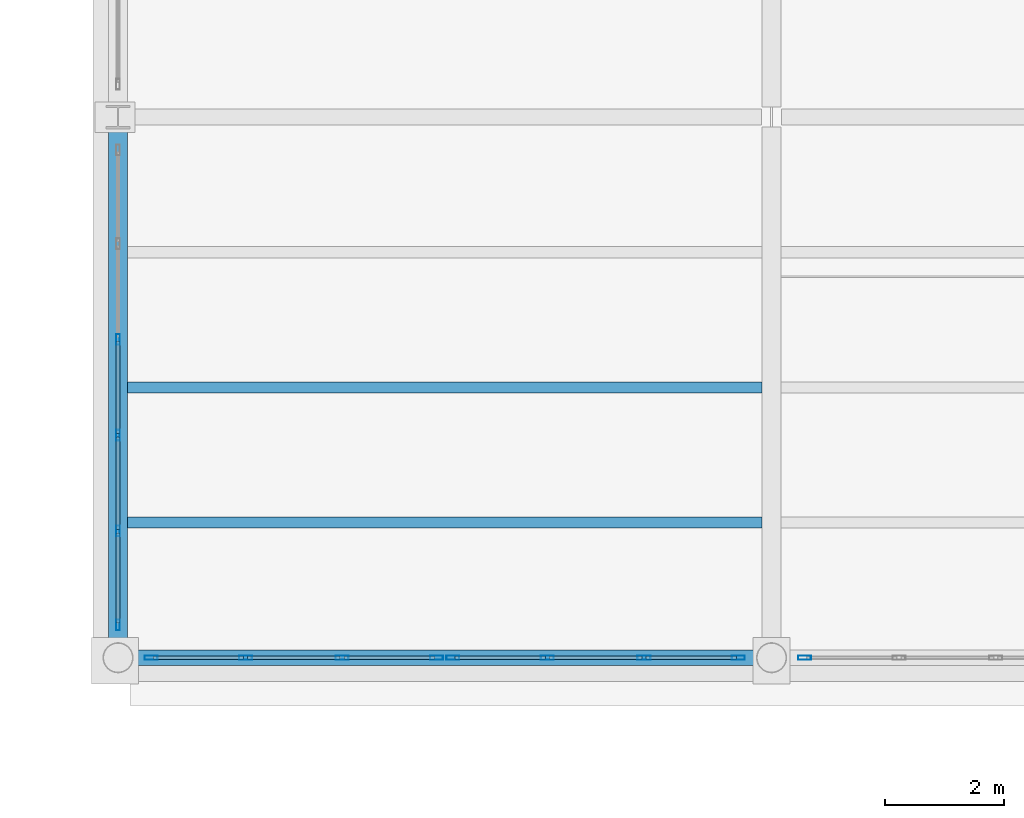
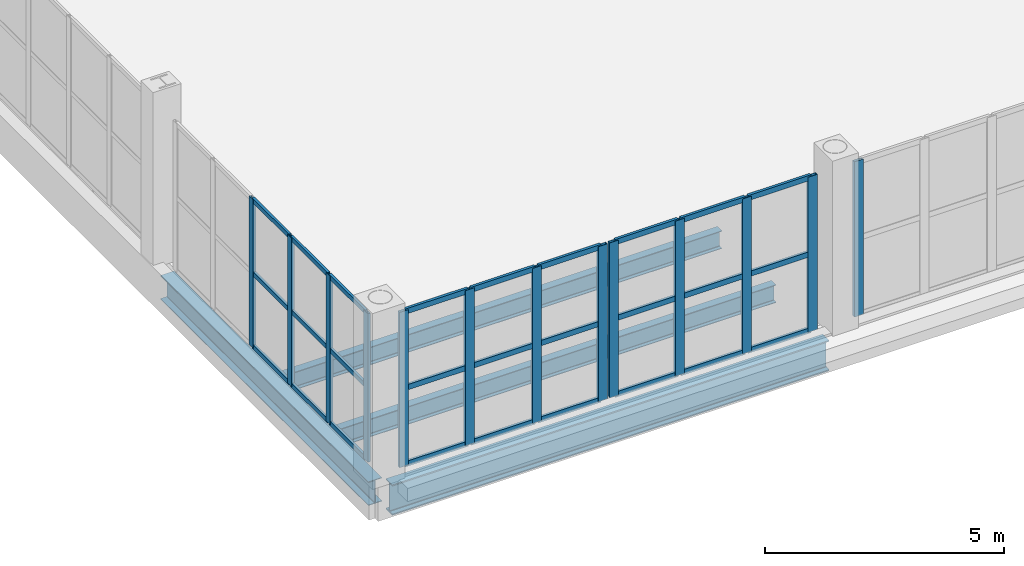
# One storey, part 17 of 156: 40 members, 4 beams, 4 elements without a shape of their own.
"""IFC4 building model written with IfcOpenShell, lengths in metres."""

from ifc_helpers import new_model, si_unit, direction, frame, origin, origin_2d, place, context, subcontext, project, spatial, hollow_rectangle, i_section, extrude, material, material_profile, profile_set, type_object, element, aggregate, save


model = new_model("IFC4")

# Units and contexts
model_context = context("Model", 3, precision=1e-05, world=origin(), true_north=direction((0.0, 1.0)))
body_context = subcontext(model_context, "Body", "Model", "MODEL_VIEW")
ifc_project = project(units=[si_unit("LENGTHUNIT", "METRE"), si_unit("AREAUNIT", "SQUARE_METRE"), si_unit("VOLUMEUNIT", "CUBIC_METRE"), si_unit("PLANEANGLEUNIT", "RADIAN"), si_unit("MASSUNIT", "GRAM", prefix="KILO")], contexts=[model_context])

# Site, building, storey
site_placement = place(None, origin())
site = spatial("IfcSite", under=ifc_project, at=site_placement, CompositionType="ELEMENT")
building_placement = place(site_placement, origin())
building = spatial("IfcBuilding", under=site, at=building_placement, Name="Caurita Quay Ferry Terminal", CompositionType="ELEMENT")
storey_placement = place(building_placement, frame((0.0, 0.0, 5.39990234375)))
storey = spatial("IfcBuildingStorey", under=building, at=storey_placement, Name="L01", CompositionType="ELEMENT", Elevation=5.39990234375)

# Beams
ifc_material_1 = material(Name="Structural steel ASTM A992 Gr. 50", Category="steel")
ifc_material_profile_1 = material_profile(ifc_material_1, i_section(OverallWidth=0.3251953125, OverallDepth=0.612060546875, WebThickness=0.0126953125, FlangeThickness=0.01904296875, FilletRadius=0.01513671875, at=origin_2d()), Name="W24X104")
ifc_profile_set_1 = profile_set([ifc_material_profile_1], Name="Structural steel ASTM A992 Gr. 50")
beam_type_1 = type_object("IfcBeamType", Name="BM-GR-W24A", PredefinedType="BEAM", material=ifc_profile_set_1)
beam_1_placement = place(storey_placement, frame((0.0, 34.81591796875, -0.60595703125), z_axis=(0.0, 1.0, 0.0), x_axis=(-1.0, 0.0, 0.0)))
element("IfcBeam", 1, at=beam_1_placement, inside=storey, type_object=beam_type_1, Name="L01 Beam BM-V1-L01-Y-0-348", PredefinedType="BEAM", context=body_context, shape_type="SweptSolid", body=[
    extrude(i_section(OverallWidth=0.3251953125, OverallDepth=0.612060546875, WebThickness=0.0126953125, FlangeThickness=0.01904296875, FilletRadius=0.01513671875, at=origin_2d()), origin(), (0.0, 0.0, 1.0), 8.70703125),
])
ifc_material_profile_2 = material_profile(ifc_material_1, i_section(OverallWidth=0.2666015625, OverallDepth=0.77978515625, WebThickness=0.0166015625, FlangeThickness=0.030029296875, FilletRadius=0.01904296875, at=origin_2d()), Name="W30X148")
ifc_profile_set_2 = profile_set([ifc_material_profile_2], Name="Structural steel ASTM A992 Gr. 50")
beam_type_2 = type_object("IfcBeamType", Name="BM-GR-W30A", PredefinedType="BEAM", material=ifc_profile_set_2)
beam_2_placement = place(storey_placement, frame((0.2158203125, 34.60009765625, -0.689697265625), z_axis=(1.0, 0.0, 0.0), x_axis=(0.0, 1.0, 0.0)))
element("IfcBeam", 2, at=beam_2_placement, inside=storey, type_object=beam_type_2, Name="L01 Beam BM-V1-L01-X-2-346", PredefinedType="BEAM", context=body_context, shape_type="SweptSolid", body=[
    extrude(i_section(OverallWidth=0.2666015625, OverallDepth=0.77978515625, WebThickness=0.0166015625, FlangeThickness=0.030029296875, FilletRadius=0.01904296875, at=origin_2d()), origin(), (0.0, 0.0, 1.0), 10.568359375),
])
ifc_material_profile_3 = material_profile(ifc_material_1, i_section(OverallWidth=0.1904296875, OverallDepth=0.457275390625, WebThickness=0.009033203125, FlangeThickness=0.014404296875, FilletRadius=0.0126953125, at=origin_2d()), Name="W18X50")
ifc_profile_set_3 = profile_set([ifc_material_profile_3], Name="Structural steel ASTM A992 Gr. 50")
beam_type_3 = type_object("IfcBeamType", Name="BM-JS-W18B", PredefinedType="JOIST", material=ifc_profile_set_3)
for number, where, z_axis, x_axis, name in (
    (3, (0.16259765625, 36.875, -0.528564453125), (1.0, 0.0, 0.0), (0.0, 1.0, 0.0), "L01 Beam JS-V1-L01-001"),
    (4, (0.16259765625, 39.14990234375, -0.528564453125), (1.0, 0.0, 0.0), (0.0, 1.0, 0.0), "L01 Beam JS-V1-L01-002"),
):
    element("IfcBeam", number, at=place(storey_placement, frame(where, z_axis=z_axis, x_axis=x_axis)), inside=storey, type_object=beam_type_3, Name=name, PredefinedType="JOIST", context=body_context, shape_type="SweptSolid", body=[
        extrude(i_section(OverallWidth=0.1904296875, OverallDepth=0.457275390625, WebThickness=0.009033203125, FlangeThickness=0.014404296875, FilletRadius=0.0126953125, at=origin_2d()), origin(), (0.0, 0.0, 1.0), 10.6748046875),
    ])

# Curtain wall, members
ifc_material_2 = material(Name="Laminated solar-control insulated glass", Category="glass")
curtain_wall_type_1 = type_object("IfcCurtainWallType", Name="CW-SYS-11", PredefinedType="NOTDEFINED", material=ifc_material_2)
curtain_wall_1_placement = place(storey_placement, origin())
curtain_wall_1 = element("IfcCurtainWall", 5, at=curtain_wall_1_placement, inside=storey, type_object=curtain_wall_type_1, Name="Concourse Gable Curtain Wall 077", PredefinedType="NOTDEFINED")
ifc_material_3 = material(Name="Anodized aluminium 6063-T6", Category="aluminium")
ifc_material_profile_4 = material_profile(ifc_material_3, hollow_rectangle(XDim=0.06494140625, YDim=0.179931640625, WallThickness=0.00390625, at=origin_2d()), Name="ALU-MUL-65X180")
ifc_profile_set_4 = profile_set([ifc_material_profile_4], Name="Anodized aluminium 6063-T6")
member_type_1 = type_object("IfcMemberType", Name="CW-MUL-180", PredefinedType="MULLION", material=ifc_profile_set_4)
member_1_placement = place(storey_placement, frame((0.0, 35.152587890625, 0.0), z_axis=(0.0, 0.0, 1.0), x_axis=(-1.0, 0.0, 0.0)))
member_1 = element("IfcMember", 6, at=member_1_placement, type_object=member_type_1, Name="CW-GBL-077 Mullion 1", PredefinedType="MULLION", context=body_context, shape_type="SweptSolid", body=[
    extrude(hollow_rectangle(XDim=0.06494140625, YDim=0.179931640625, WallThickness=0.00390625, at=origin_2d()), origin(), (0.0, 0.0, 1.0), 3.800048828125),
])
member_2_placement = place(storey_placement, frame((0.0, 36.73193359375, 0.0), z_axis=(0.0, 0.0, 1.0), x_axis=(-1.0, 0.0, 0.0)))
member_2 = element("IfcMember", 7, at=member_2_placement, type_object=member_type_1, Name="CW-GBL-077 Mullion 2", PredefinedType="MULLION", context=body_context, shape_type="SweptSolid", body=[
    extrude(hollow_rectangle(XDim=0.06494140625, YDim=0.179931640625, WallThickness=0.00390625, at=origin_2d()), origin(), (0.0, 0.0, 1.0), 3.800048828125),
])
member_3_placement = place(storey_placement, frame((0.0, 38.343994140625, 0.0), z_axis=(0.0, 0.0, 1.0), x_axis=(-1.0, 0.0, 0.0)))
member_3 = element("IfcMember", 8, at=member_3_placement, type_object=member_type_1, Name="CW-GBL-077 Mullion 3", PredefinedType="MULLION", context=body_context, shape_type="SweptSolid", body=[
    extrude(hollow_rectangle(XDim=0.06494140625, YDim=0.179931640625, WallThickness=0.00390625, at=origin_2d()), origin(), (0.0, 0.0, 1.0), 3.800048828125),
])
member_4_placement = place(storey_placement, frame((0.0, 39.9560546875, 0.0), z_axis=(0.0, 0.0, 1.0), x_axis=(-1.0, 0.0, 0.0)))
member_4 = element("IfcMember", 9, at=member_4_placement, type_object=member_type_1, Name="CW-GBL-077 Mullion 4", PredefinedType="MULLION", context=body_context, shape_type="SweptSolid", body=[
    extrude(hollow_rectangle(XDim=0.06494140625, YDim=0.179931640625, WallThickness=0.00390625, at=origin_2d()), origin(), (0.0, 0.0, 1.0), 3.800048828125),
])

curtain_wall_type_2 = type_object("IfcCurtainWallType", Name="CW-SYS-08", PredefinedType="NOTDEFINED", material=ifc_material_2)
curtain_wall_2_placement = place(storey_placement, origin())
curtain_wall_2 = element("IfcCurtainWall", 10, at=curtain_wall_2_placement, inside=storey, type_object=curtain_wall_type_2, Name="V1 Waterside Concourse Curtain Wall 049", PredefinedType="NOTDEFINED")
ifc_material_profile_5 = material_profile(ifc_material_3, hollow_rectangle(XDim=0.074951171875, YDim=0.219970703125, WallThickness=0.00390625, at=origin_2d()), Name="ALU-MUL-75X220")
ifc_profile_set_5 = profile_set([ifc_material_profile_5], Name="Anodized aluminium 6063-T6")
member_type_2 = type_object("IfcMemberType", Name="CW-MUL-220", PredefinedType="MULLION", material=ifc_profile_set_5)
member_5_placement = place(storey_placement, frame((0.5576171875, 34.60009765625, 0.0), z_axis=(0.0, 0.0, 1.0), x_axis=(0.0, 1.0, 0.0)))
member_5 = element("IfcMember", 11, at=member_5_placement, type_object=member_type_2, Name="CW-SEA-049 Mullion 1", PredefinedType="MULLION", context=body_context, shape_type="SweptSolid", body=[
    extrude(hollow_rectangle(XDim=0.074951171875, YDim=0.219970703125, WallThickness=0.00390625, at=origin_2d()), origin(), (0.0, 0.0, 1.0), 3.97021484375),
])
member_6_placement = place(storey_placement, frame((2.146728515625, 34.60009765625, 0.0), z_axis=(0.0, 0.0, 1.0), x_axis=(0.0, 1.0, 0.0)))
member_6 = element("IfcMember", 12, at=member_6_placement, type_object=member_type_2, Name="CW-SEA-049 Mullion 2", PredefinedType="MULLION", context=body_context, shape_type="SweptSolid", body=[
    extrude(hollow_rectangle(XDim=0.074951171875, YDim=0.219970703125, WallThickness=0.00390625, at=origin_2d()), origin(), (0.0, 0.0, 1.0), 3.97021484375),
])
member_7_placement = place(storey_placement, frame((3.773193359375, 34.60009765625, 0.0), z_axis=(0.0, 0.0, 1.0), x_axis=(0.0, 1.0, 0.0)))
member_7 = element("IfcMember", 13, at=member_7_placement, type_object=member_type_2, Name="CW-SEA-049 Mullion 3", PredefinedType="MULLION", context=body_context, shape_type="SweptSolid", body=[
    extrude(hollow_rectangle(XDim=0.074951171875, YDim=0.219970703125, WallThickness=0.00390625, at=origin_2d()), origin(), (0.0, 0.0, 1.0), 3.97021484375),
])
member_8_placement = place(storey_placement, frame((5.362548828125, 34.60009765625, 0.0), z_axis=(0.0, 0.0, 1.0), x_axis=(0.0, 1.0, 0.0)))
member_8 = element("IfcMember", 14, at=member_8_placement, type_object=member_type_2, Name="CW-SEA-049 Mullion 4", PredefinedType="MULLION", context=body_context, shape_type="SweptSolid", body=[
    extrude(hollow_rectangle(XDim=0.074951171875, YDim=0.219970703125, WallThickness=0.00390625, at=origin_2d()), origin(), (0.0, 0.0, 1.0), 3.97021484375),
])

curtain_wall_3_placement = place(storey_placement, origin())
curtain_wall_3 = element("IfcCurtainWall", 15, at=curtain_wall_3_placement, inside=storey, type_object=curtain_wall_type_2, Name="V1 Waterside Concourse Curtain Wall 050", PredefinedType="NOTDEFINED")
member_9_placement = place(storey_placement, frame((5.637451171875, 34.60009765625, 0.0), z_axis=(0.0, 0.0, 1.0), x_axis=(0.0, 1.0, 0.0)))
member_9 = element("IfcMember", 16, at=member_9_placement, type_object=member_type_2, Name="CW-SEA-050 Mullion 1", PredefinedType="MULLION", context=body_context, shape_type="SweptSolid", body=[
    extrude(hollow_rectangle(XDim=0.074951171875, YDim=0.219970703125, WallThickness=0.00390625, at=origin_2d()), origin(), (0.0, 0.0, 1.0), 3.97021484375),
])
member_10_placement = place(storey_placement, frame((7.226806640625, 34.60009765625, 0.0), z_axis=(0.0, 0.0, 1.0), x_axis=(0.0, 1.0, 0.0)))
member_10 = element("IfcMember", 17, at=member_10_placement, type_object=member_type_2, Name="CW-SEA-050 Mullion 2", PredefinedType="MULLION", context=body_context, shape_type="SweptSolid", body=[
    extrude(hollow_rectangle(XDim=0.074951171875, YDim=0.219970703125, WallThickness=0.00390625, at=origin_2d()), origin(), (0.0, 0.0, 1.0), 3.97021484375),
])
member_11_placement = place(storey_placement, frame((8.853271484375, 34.60009765625, 0.0), z_axis=(0.0, 0.0, 1.0), x_axis=(0.0, 1.0, 0.0)))
member_11 = element("IfcMember", 18, at=member_11_placement, type_object=member_type_2, Name="CW-SEA-050 Mullion 3", PredefinedType="MULLION", context=body_context, shape_type="SweptSolid", body=[
    extrude(hollow_rectangle(XDim=0.074951171875, YDim=0.219970703125, WallThickness=0.00390625, at=origin_2d()), origin(), (0.0, 0.0, 1.0), 3.97021484375),
])
member_12_placement = place(storey_placement, frame((10.4423828125, 34.60009765625, 0.0), z_axis=(0.0, 0.0, 1.0), x_axis=(0.0, 1.0, 0.0)))
member_12 = element("IfcMember", 19, at=member_12_placement, type_object=member_type_2, Name="CW-SEA-050 Mullion 4", PredefinedType="MULLION", context=body_context, shape_type="SweptSolid", body=[
    extrude(hollow_rectangle(XDim=0.074951171875, YDim=0.219970703125, WallThickness=0.00390625, at=origin_2d()), origin(), (0.0, 0.0, 1.0), 3.97021484375),
])

# Curtain wall, member
curtain_wall_4_placement = place(storey_placement, origin())
curtain_wall_4 = element("IfcCurtainWall", 20, at=curtain_wall_4_placement, inside=storey, type_object=curtain_wall_type_2, Name="V1 Waterside Concourse Curtain Wall 051", PredefinedType="NOTDEFINED")
member_13_placement = place(storey_placement, frame((11.5576171875, 34.60009765625, 0.0), z_axis=(0.0, 0.0, 1.0), x_axis=(0.0, 1.0, 0.0)))
member_13 = element("IfcMember", 21, at=member_13_placement, type_object=member_type_2, Name="CW-SEA-051 Mullion 1", PredefinedType="MULLION", context=body_context, shape_type="SweptSolid", body=[
    extrude(hollow_rectangle(XDim=0.074951171875, YDim=0.219970703125, WallThickness=0.00390625, at=origin_2d()), origin(), (0.0, 0.0, 1.0), 3.97021484375),
])
aggregate(curtain_wall_4, [member_13])

# Member
ifc_material_profile_6 = material_profile(ifc_material_3, hollow_rectangle(XDim=0.06005859375, YDim=0.114990234375, WallThickness=0.00341796875, at=origin_2d()), Name="ALU-TRN-60X115")
ifc_profile_set_6 = profile_set([ifc_material_profile_6], Name="Anodized aluminium 6063-T6")
member_type_3 = type_object("IfcMemberType", Name="CW-TRN-115", PredefinedType="USERDEFINED", material=ifc_profile_set_6)
member_14_placement = place(storey_placement, frame((0.0, 35.18310546875, 0.030029296875), z_axis=(0.0, 1.0, 0.0), x_axis=(-1.0, 0.0, 0.0)))
member_14 = element("IfcMember", 22, at=member_14_placement, type_object=member_type_3, Name="CW-GBL-077 Transom 1", ObjectType="TRANSOM", PredefinedType="USERDEFINED", context=body_context, shape_type="SweptSolid", body=[
    extrude(hollow_rectangle(XDim=0.06005859375, YDim=0.114990234375, WallThickness=0.00341796875, at=origin_2d()), origin(), (0.0, 0.0, 1.0), 1.518310546875),
])

member_15_placement = place(storey_placement, frame((0.0, 35.18310546875, 1.900146484375), z_axis=(0.0, 1.0, 0.0), x_axis=(-1.0, 0.0, 0.0)))
member_15 = element("IfcMember", 23, at=member_15_placement, type_object=member_type_3, Name="CW-GBL-077 Transom 2", ObjectType="TRANSOM", PredefinedType="USERDEFINED", context=body_context, shape_type="SweptSolid", body=[
    extrude(hollow_rectangle(XDim=0.06005859375, YDim=0.114990234375, WallThickness=0.00341796875, at=origin_2d()), origin(), (0.0, 0.0, 1.0), 1.518310546875),
])

member_16_placement = place(storey_placement, frame((0.0, 35.18310546875, 3.77001953125), z_axis=(0.0, 1.0, 0.0), x_axis=(-1.0, 0.0, 0.0)))
member_16 = element("IfcMember", 24, at=member_16_placement, type_object=member_type_3, Name="CW-GBL-077 Transom 3", ObjectType="TRANSOM", PredefinedType="USERDEFINED", context=body_context, shape_type="SweptSolid", body=[
    extrude(hollow_rectangle(XDim=0.06005859375, YDim=0.114990234375, WallThickness=0.00341796875, at=origin_2d()), origin(), (0.0, 0.0, 1.0), 1.518310546875),
])

member_17_placement = place(storey_placement, frame((0.0, 36.762451171875, 0.030029296875), z_axis=(0.0, 1.0, 0.0), x_axis=(-1.0, 0.0, 0.0)))
member_17 = element("IfcMember", 25, at=member_17_placement, type_object=member_type_3, Name="CW-GBL-077 Transom 4", ObjectType="TRANSOM", PredefinedType="USERDEFINED", context=body_context, shape_type="SweptSolid", body=[
    extrude(hollow_rectangle(XDim=0.06005859375, YDim=0.114990234375, WallThickness=0.00341796875, at=origin_2d()), origin(), (0.0, 0.0, 1.0), 1.551025390625),
])

member_18_placement = place(storey_placement, frame((0.0, 36.762451171875, 1.900146484375), z_axis=(0.0, 1.0, 0.0), x_axis=(-1.0, 0.0, 0.0)))
member_18 = element("IfcMember", 26, at=member_18_placement, type_object=member_type_3, Name="CW-GBL-077 Transom 5", ObjectType="TRANSOM", PredefinedType="USERDEFINED", context=body_context, shape_type="SweptSolid", body=[
    extrude(hollow_rectangle(XDim=0.06005859375, YDim=0.114990234375, WallThickness=0.00341796875, at=origin_2d()), origin(), (0.0, 0.0, 1.0), 1.551025390625),
])

member_19_placement = place(storey_placement, frame((0.0, 36.762451171875, 3.77001953125), z_axis=(0.0, 1.0, 0.0), x_axis=(-1.0, 0.0, 0.0)))
member_19 = element("IfcMember", 27, at=member_19_placement, type_object=member_type_3, Name="CW-GBL-077 Transom 6", ObjectType="TRANSOM", PredefinedType="USERDEFINED", context=body_context, shape_type="SweptSolid", body=[
    extrude(hollow_rectangle(XDim=0.06005859375, YDim=0.114990234375, WallThickness=0.00341796875, at=origin_2d()), origin(), (0.0, 0.0, 1.0), 1.551025390625),
])

member_20_placement = place(storey_placement, frame((0.0, 38.37451171875, 0.030029296875), z_axis=(0.0, 1.0, 0.0), x_axis=(-1.0, 0.0, 0.0)))
member_20 = element("IfcMember", 28, at=member_20_placement, type_object=member_type_3, Name="CW-GBL-077 Transom 7", ObjectType="TRANSOM", PredefinedType="USERDEFINED", context=body_context, shape_type="SweptSolid", body=[
    extrude(hollow_rectangle(XDim=0.06005859375, YDim=0.114990234375, WallThickness=0.00341796875, at=origin_2d()), origin(), (0.0, 0.0, 1.0), 1.551025390625),
])

member_21_placement = place(storey_placement, frame((0.0, 38.37451171875, 1.900146484375), z_axis=(0.0, 1.0, 0.0), x_axis=(-1.0, 0.0, 0.0)))
member_21 = element("IfcMember", 29, at=member_21_placement, type_object=member_type_3, Name="CW-GBL-077 Transom 8", ObjectType="TRANSOM", PredefinedType="USERDEFINED", context=body_context, shape_type="SweptSolid", body=[
    extrude(hollow_rectangle(XDim=0.06005859375, YDim=0.114990234375, WallThickness=0.00341796875, at=origin_2d()), origin(), (0.0, 0.0, 1.0), 1.551025390625),
])

member_22_placement = place(storey_placement, frame((0.0, 38.37451171875, 3.77001953125), z_axis=(0.0, 1.0, 0.0), x_axis=(-1.0, 0.0, 0.0)))
member_22 = element("IfcMember", 30, at=member_22_placement, type_object=member_type_3, Name="CW-GBL-077 Transom 9", ObjectType="TRANSOM", PredefinedType="USERDEFINED", context=body_context, shape_type="SweptSolid", body=[
    extrude(hollow_rectangle(XDim=0.06005859375, YDim=0.114990234375, WallThickness=0.00341796875, at=origin_2d()), origin(), (0.0, 0.0, 1.0), 1.551025390625),
])

aggregate(curtain_wall_1, [member_1, member_2, member_3, member_4, member_14, member_15, member_16, member_17, member_18, member_19, member_20, member_21, member_22])

ifc_material_profile_7 = material_profile(ifc_material_3, hollow_rectangle(XDim=0.06494140625, YDim=0.135009765625, WallThickness=0.00341796875, at=origin_2d()), Name="ALU-TRN-65X135")
ifc_profile_set_7 = profile_set([ifc_material_profile_7], Name="Anodized aluminium 6063-T6")
member_type_4 = type_object("IfcMemberType", Name="CW-TRN-135", PredefinedType="USERDEFINED", material=ifc_profile_set_7)
member_23_placement = place(storey_placement, frame((0.593017578125, 34.60009765625, 0.03271484375), z_axis=(1.0, 0.0, 0.0), x_axis=(0.0, 1.0, 0.0)))
member_23 = element("IfcMember", 31, at=member_23_placement, type_object=member_type_4, Name="CW-SEA-049 Transom 1", ObjectType="TRANSOM", PredefinedType="USERDEFINED", context=body_context, shape_type="SweptSolid", body=[
    extrude(hollow_rectangle(XDim=0.06494140625, YDim=0.135009765625, WallThickness=0.00341796875, at=origin_2d()), origin(), (0.0, 0.0, 1.0), 1.51806640625),
])

member_24_placement = place(storey_placement, frame((0.593017578125, 34.60009765625, 1.985107421875), z_axis=(1.0, 0.0, 0.0), x_axis=(0.0, 1.0, 0.0)))
member_24 = element("IfcMember", 32, at=member_24_placement, type_object=member_type_4, Name="CW-SEA-049 Transom 2", ObjectType="TRANSOM", PredefinedType="USERDEFINED", context=body_context, shape_type="SweptSolid", body=[
    extrude(hollow_rectangle(XDim=0.06494140625, YDim=0.135009765625, WallThickness=0.00341796875, at=origin_2d()), origin(), (0.0, 0.0, 1.0), 1.51806640625),
])

member_25_placement = place(storey_placement, frame((0.593017578125, 34.60009765625, 3.9375), z_axis=(1.0, 0.0, 0.0), x_axis=(0.0, 1.0, 0.0)))
member_25 = element("IfcMember", 33, at=member_25_placement, type_object=member_type_4, Name="CW-SEA-049 Transom 3", ObjectType="TRANSOM", PredefinedType="USERDEFINED", context=body_context, shape_type="SweptSolid", body=[
    extrude(hollow_rectangle(XDim=0.06494140625, YDim=0.135009765625, WallThickness=0.00341796875, at=origin_2d()), origin(), (0.0, 0.0, 1.0), 1.51806640625),
])

member_26_placement = place(storey_placement, frame((2.18212890625, 34.60009765625, 0.03271484375), z_axis=(1.0, 0.0, 0.0), x_axis=(0.0, 1.0, 0.0)))
member_26 = element("IfcMember", 34, at=member_26_placement, type_object=member_type_4, Name="CW-SEA-049 Transom 4", ObjectType="TRANSOM", PredefinedType="USERDEFINED", context=body_context, shape_type="SweptSolid", body=[
    extrude(hollow_rectangle(XDim=0.06494140625, YDim=0.135009765625, WallThickness=0.00341796875, at=origin_2d()), origin(), (0.0, 0.0, 1.0), 1.5556640625),
])

member_27_placement = place(storey_placement, frame((2.18212890625, 34.60009765625, 1.985107421875), z_axis=(1.0, 0.0, 0.0), x_axis=(0.0, 1.0, 0.0)))
member_27 = element("IfcMember", 35, at=member_27_placement, type_object=member_type_4, Name="CW-SEA-049 Transom 5", ObjectType="TRANSOM", PredefinedType="USERDEFINED", context=body_context, shape_type="SweptSolid", body=[
    extrude(hollow_rectangle(XDim=0.06494140625, YDim=0.135009765625, WallThickness=0.00341796875, at=origin_2d()), origin(), (0.0, 0.0, 1.0), 1.5556640625),
])

member_28_placement = place(storey_placement, frame((2.18212890625, 34.60009765625, 3.9375), z_axis=(1.0, 0.0, 0.0), x_axis=(0.0, 1.0, 0.0)))
member_28 = element("IfcMember", 36, at=member_28_placement, type_object=member_type_4, Name="CW-SEA-049 Transom 6", ObjectType="TRANSOM", PredefinedType="USERDEFINED", context=body_context, shape_type="SweptSolid", body=[
    extrude(hollow_rectangle(XDim=0.06494140625, YDim=0.135009765625, WallThickness=0.00341796875, at=origin_2d()), origin(), (0.0, 0.0, 1.0), 1.5556640625),
])

member_29_placement = place(storey_placement, frame((3.808837890625, 34.60009765625, 0.03271484375), z_axis=(1.0, 0.0, 0.0), x_axis=(0.0, 1.0, 0.0)))
member_29 = element("IfcMember", 37, at=member_29_placement, type_object=member_type_4, Name="CW-SEA-049 Transom 7", ObjectType="TRANSOM", PredefinedType="USERDEFINED", context=body_context, shape_type="SweptSolid", body=[
    extrude(hollow_rectangle(XDim=0.06494140625, YDim=0.135009765625, WallThickness=0.00341796875, at=origin_2d()), origin(), (0.0, 0.0, 1.0), 1.51806640625),
])

member_30_placement = place(storey_placement, frame((3.808837890625, 34.60009765625, 1.985107421875), z_axis=(1.0, 0.0, 0.0), x_axis=(0.0, 1.0, 0.0)))
member_30 = element("IfcMember", 38, at=member_30_placement, type_object=member_type_4, Name="CW-SEA-049 Transom 8", ObjectType="TRANSOM", PredefinedType="USERDEFINED", context=body_context, shape_type="SweptSolid", body=[
    extrude(hollow_rectangle(XDim=0.06494140625, YDim=0.135009765625, WallThickness=0.00341796875, at=origin_2d()), origin(), (0.0, 0.0, 1.0), 1.51806640625),
])

member_31_placement = place(storey_placement, frame((3.808837890625, 34.60009765625, 3.9375), z_axis=(1.0, 0.0, 0.0), x_axis=(0.0, 1.0, 0.0)))
member_31 = element("IfcMember", 39, at=member_31_placement, type_object=member_type_4, Name="CW-SEA-049 Transom 9", ObjectType="TRANSOM", PredefinedType="USERDEFINED", context=body_context, shape_type="SweptSolid", body=[
    extrude(hollow_rectangle(XDim=0.06494140625, YDim=0.135009765625, WallThickness=0.00341796875, at=origin_2d()), origin(), (0.0, 0.0, 1.0), 1.51806640625),
])

aggregate(curtain_wall_2, [member_5, member_6, member_7, member_8, member_23, member_24, member_25, member_26, member_27, member_28, member_29, member_30, member_31])

member_32_placement = place(storey_placement, frame((5.673095703125, 34.60009765625, 0.03271484375), z_axis=(1.0, 0.0, 0.0), x_axis=(0.0, 1.0, 0.0)))
member_32 = element("IfcMember", 40, at=member_32_placement, type_object=member_type_4, Name="CW-SEA-050 Transom 1", ObjectType="TRANSOM", PredefinedType="USERDEFINED", context=body_context, shape_type="SweptSolid", body=[
    extrude(hollow_rectangle(XDim=0.06494140625, YDim=0.135009765625, WallThickness=0.00341796875, at=origin_2d()), origin(), (0.0, 0.0, 1.0), 1.51806640625),
])

member_33_placement = place(storey_placement, frame((5.673095703125, 34.60009765625, 1.985107421875), z_axis=(1.0, 0.0, 0.0), x_axis=(0.0, 1.0, 0.0)))
member_33 = element("IfcMember", 41, at=member_33_placement, type_object=member_type_4, Name="CW-SEA-050 Transom 2", ObjectType="TRANSOM", PredefinedType="USERDEFINED", context=body_context, shape_type="SweptSolid", body=[
    extrude(hollow_rectangle(XDim=0.06494140625, YDim=0.135009765625, WallThickness=0.00341796875, at=origin_2d()), origin(), (0.0, 0.0, 1.0), 1.51806640625),
])

member_34_placement = place(storey_placement, frame((5.673095703125, 34.60009765625, 3.9375), z_axis=(1.0, 0.0, 0.0), x_axis=(0.0, 1.0, 0.0)))
member_34 = element("IfcMember", 42, at=member_34_placement, type_object=member_type_4, Name="CW-SEA-050 Transom 3", ObjectType="TRANSOM", PredefinedType="USERDEFINED", context=body_context, shape_type="SweptSolid", body=[
    extrude(hollow_rectangle(XDim=0.06494140625, YDim=0.135009765625, WallThickness=0.00341796875, at=origin_2d()), origin(), (0.0, 0.0, 1.0), 1.51806640625),
])

member_35_placement = place(storey_placement, frame((7.26220703125, 34.60009765625, 0.03271484375), z_axis=(1.0, 0.0, 0.0), x_axis=(0.0, 1.0, 0.0)))
member_35 = element("IfcMember", 43, at=member_35_placement, type_object=member_type_4, Name="CW-SEA-050 Transom 4", ObjectType="TRANSOM", PredefinedType="USERDEFINED", context=body_context, shape_type="SweptSolid", body=[
    extrude(hollow_rectangle(XDim=0.06494140625, YDim=0.135009765625, WallThickness=0.00341796875, at=origin_2d()), origin(), (0.0, 0.0, 1.0), 1.5556640625),
])

member_36_placement = place(storey_placement, frame((7.26220703125, 34.60009765625, 1.985107421875), z_axis=(1.0, 0.0, 0.0), x_axis=(0.0, 1.0, 0.0)))
member_36 = element("IfcMember", 44, at=member_36_placement, type_object=member_type_4, Name="CW-SEA-050 Transom 5", ObjectType="TRANSOM", PredefinedType="USERDEFINED", context=body_context, shape_type="SweptSolid", body=[
    extrude(hollow_rectangle(XDim=0.06494140625, YDim=0.135009765625, WallThickness=0.00341796875, at=origin_2d()), origin(), (0.0, 0.0, 1.0), 1.5556640625),
])

member_37_placement = place(storey_placement, frame((7.26220703125, 34.60009765625, 3.9375), z_axis=(1.0, 0.0, 0.0), x_axis=(0.0, 1.0, 0.0)))
member_37 = element("IfcMember", 45, at=member_37_placement, type_object=member_type_4, Name="CW-SEA-050 Transom 6", ObjectType="TRANSOM", PredefinedType="USERDEFINED", context=body_context, shape_type="SweptSolid", body=[
    extrude(hollow_rectangle(XDim=0.06494140625, YDim=0.135009765625, WallThickness=0.00341796875, at=origin_2d()), origin(), (0.0, 0.0, 1.0), 1.5556640625),
])

member_38_placement = place(storey_placement, frame((8.888916015625, 34.60009765625, 0.03271484375), z_axis=(1.0, 0.0, 0.0), x_axis=(0.0, 1.0, 0.0)))
member_38 = element("IfcMember", 46, at=member_38_placement, type_object=member_type_4, Name="CW-SEA-050 Transom 7", ObjectType="TRANSOM", PredefinedType="USERDEFINED", context=body_context, shape_type="SweptSolid", body=[
    extrude(hollow_rectangle(XDim=0.06494140625, YDim=0.135009765625, WallThickness=0.00341796875, at=origin_2d()), origin(), (0.0, 0.0, 1.0), 1.51806640625),
])

member_39_placement = place(storey_placement, frame((8.888916015625, 34.60009765625, 1.985107421875), z_axis=(1.0, 0.0, 0.0), x_axis=(0.0, 1.0, 0.0)))
member_39 = element("IfcMember", 47, at=member_39_placement, type_object=member_type_4, Name="CW-SEA-050 Transom 8", ObjectType="TRANSOM", PredefinedType="USERDEFINED", context=body_context, shape_type="SweptSolid", body=[
    extrude(hollow_rectangle(XDim=0.06494140625, YDim=0.135009765625, WallThickness=0.00341796875, at=origin_2d()), origin(), (0.0, 0.0, 1.0), 1.51806640625),
])

member_40_placement = place(storey_placement, frame((8.888916015625, 34.60009765625, 3.9375), z_axis=(1.0, 0.0, 0.0), x_axis=(0.0, 1.0, 0.0)))
member_40 = element("IfcMember", 48, at=member_40_placement, type_object=member_type_4, Name="CW-SEA-050 Transom 9", ObjectType="TRANSOM", PredefinedType="USERDEFINED", context=body_context, shape_type="SweptSolid", body=[
    extrude(hollow_rectangle(XDim=0.06494140625, YDim=0.135009765625, WallThickness=0.00341796875, at=origin_2d()), origin(), (0.0, 0.0, 1.0), 1.51806640625),
])

aggregate(curtain_wall_3, [member_9, member_10, member_11, member_12, member_32, member_33, member_34, member_35, member_36, member_37, member_38, member_39, member_40])

save(model, "model.ifc")
